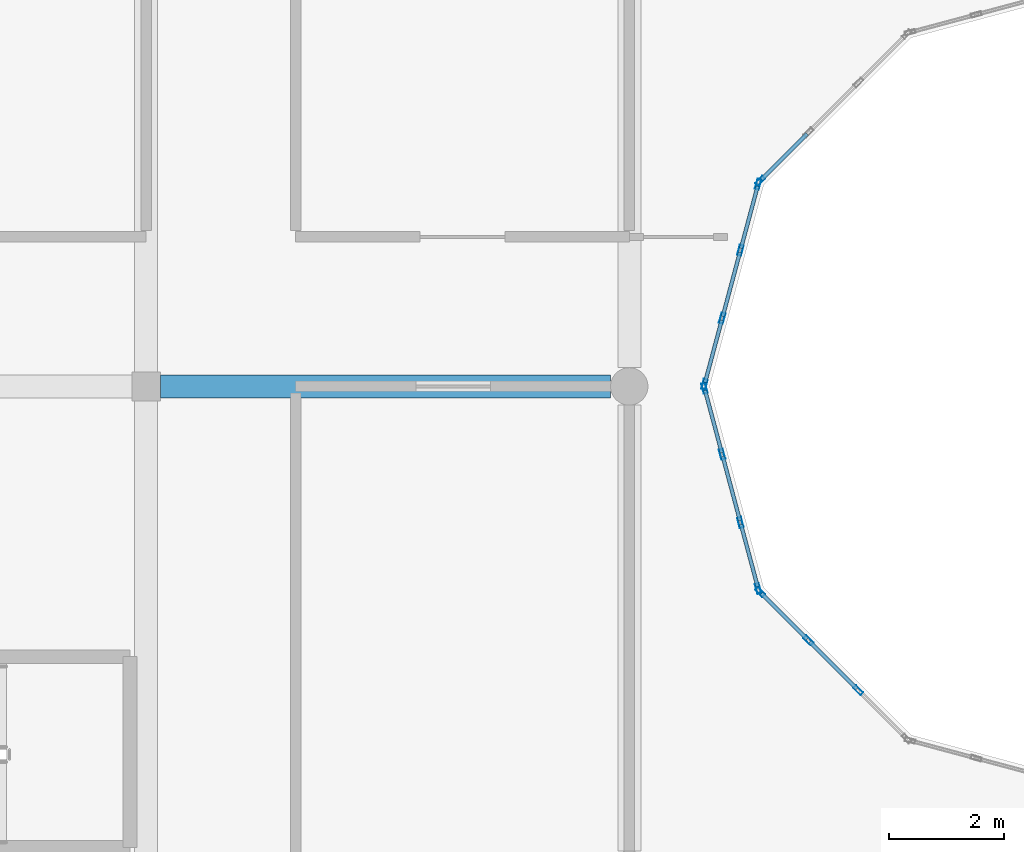
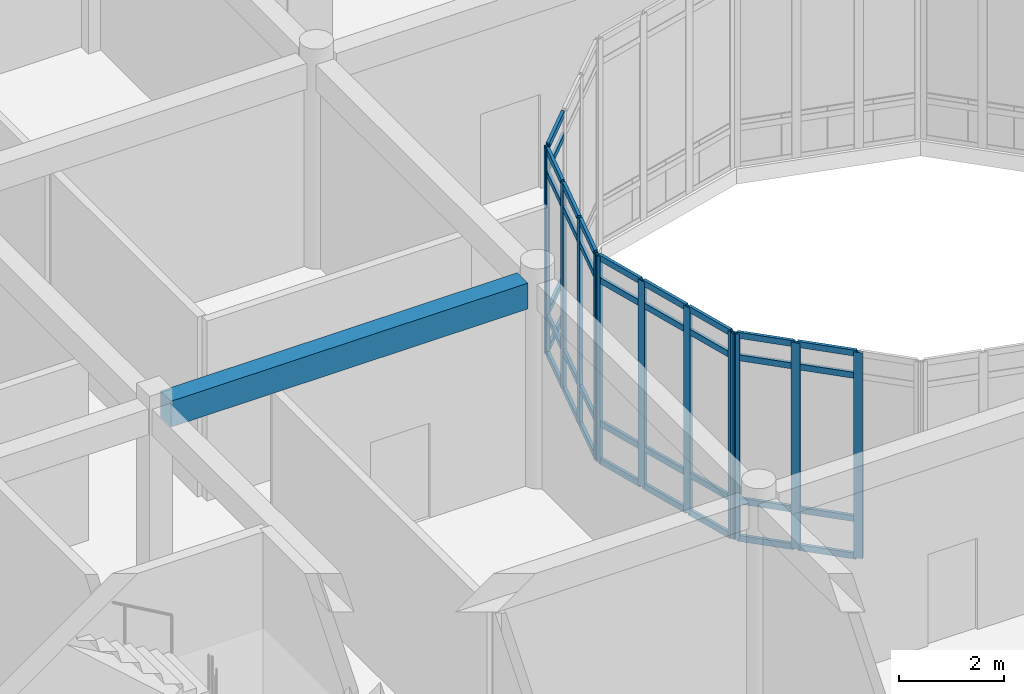
# One storey, part 42 of 134: 48 members, 1 beam, 4 elements without a shape of their own.
"""IFC4 building model written with IfcOpenShell, lengths in metres."""

from ifc_helpers import new_model, si_unit, direction, frame, origin, origin_2d, place, context, subcontext, project, spatial, rectangle, hollow_rectangle, extrude, material, layer, layer_set, material_profile, profile_set, type_object, element, aggregate, save


model = new_model("IFC4")

# Units and contexts
model_context = context("Model", 3, precision=1e-05, world=origin(), true_north=direction((0.0, 1.0)))
body_context = subcontext(model_context, "Body", "Model", "MODEL_VIEW")
ifc_project = project(units=[si_unit("LENGTHUNIT", "METRE"), si_unit("AREAUNIT", "SQUARE_METRE"), si_unit("VOLUMEUNIT", "CUBIC_METRE"), si_unit("PLANEANGLEUNIT", "RADIAN"), si_unit("MASSUNIT", "GRAM", prefix="KILO")], contexts=[model_context])

# Site, building, storey
site_placement = place(None, origin())
site = spatial("IfcSite", under=ifc_project, at=site_placement, CompositionType="ELEMENT")
building_placement = place(site_placement, origin())
building = spatial("IfcBuilding", under=site, at=building_placement, Name="Bramfleet General Hospital", CompositionType="ELEMENT")
storey_placement = place(building_placement, frame((0.0, 0.0, 9.300048828125)))
storey = spatial("IfcBuildingStorey", under=building, at=storey_placement, Name="L02", CompositionType="ELEMENT", Elevation=9.300048828125)

# Beam
ifc_material_1 = material(Name="Concrete C35/45", Category="concrete")
ifc_material_profile_1 = material_profile(ifc_material_1, rectangle(XDim=0.39990234375, YDim=0.60009765625, at=origin_2d()), Name="RC BM 600x400")
ifc_profile_set_1 = profile_set([ifc_material_profile_1], Name="Concrete C35/45")
beam_type = type_object("IfcBeamType", Name="BM-RC600", PredefinedType="BEAM", material=ifc_profile_set_1)
beam_placement = place(storey_placement, frame((67.449951171875, 75.60009765625, 4.47998046875), z_axis=(1.0, 0.0, 0.0), x_axis=(0.0, 1.0, 0.0)))
element("IfcBeam", 1, at=beam_placement, inside=storey, type_object=beam_type, Name="L02 Grid Beam X 08-09", PredefinedType="BEAM", context=body_context, shape_type="SweptSolid", body=[
    extrude(rectangle(XDim=0.39990234375, YDim=0.60009765625, at=origin_2d()), origin(), (0.0, 0.0, 1.0), 7.824951171875),
])

# Curtain wall, members
ifc_material_2 = material(Name="Anodised aluminium and low-E triple glazing", Category="aluminium")
ifc_layer_1 = layer(ifc_material_2, 0.179931640625, Name="CWT-CW-17")
ifc_layer_set_1 = layer_set([ifc_layer_1], Name="Anodised aluminium and low-E triple glazing")
curtain_wall_type_1 = type_object("IfcCurtainWallType", Name="CWT-CW-17", PredefinedType="USERDEFINED", material=ifc_layer_set_1)
curtain_wall_1_placement = place(storey_placement, origin())
curtain_wall_1 = element("IfcCurtainWall", 2, at=curtain_wall_1_placement, inside=storey, type_object=curtain_wall_type_1, Name="L02 Central Diagnostic Light Court Curtain Wall 1.1", ObjectType="Stick curtain wall", PredefinedType="USERDEFINED")
ifc_material_3 = material(Name="Anodised aluminium EN AW-6060", Category="aluminium")
ifc_material_profile_2 = material_profile(ifc_material_3, hollow_rectangle(XDim=0.070068359375, YDim=0.179931640625, WallThickness=0.00390625, at=origin_2d()), Name="ALU 180x70x4.0")
ifc_profile_set_2 = profile_set([ifc_material_profile_2], Name="Anodised aluminium EN AW-6060")
member_type_1 = type_object("IfcMemberType", Name="CWM-ALU180", PredefinedType="MULLION", material=ifc_profile_set_2)
member_1_placement = place(storey_placement, frame((76.908935546875, 75.566162109375, 0.0), z_axis=(0.0, 0.0, 1.0), x_axis=(0.965940765005, 0.258763286618, 0.0)))
member_1 = element("IfcMember", 3, at=member_1_placement, type_object=member_type_1, Name="CW-17 mullion 1", PredefinedType="MULLION", context=body_context, shape_type="SweptSolid", body=[
    extrude(hollow_rectangle(XDim=0.070068359375, YDim=0.179931640625, WallThickness=0.00390625, at=origin_2d()), origin(), (0.0, 0.0, 1.0), 4.77001953125),
])
member_2_placement = place(storey_placement, frame((77.217041015625, 74.416748046875, 0.0), z_axis=(0.0, 0.0, 1.0), x_axis=(0.965940765005, 0.258763286618, 0.0)))
member_2 = element("IfcMember", 4, at=member_2_placement, type_object=member_type_1, Name="CW-17 mullion 2", PredefinedType="MULLION", context=body_context, shape_type="SweptSolid", body=[
    extrude(hollow_rectangle(XDim=0.070068359375, YDim=0.179931640625, WallThickness=0.00390625, at=origin_2d()), origin(), (0.0, 0.0, 1.0), 4.77001953125),
])
member_3_placement = place(storey_placement, frame((77.533935546875, 73.2333984375, 0.0), z_axis=(0.0, 0.0, 1.0), x_axis=(0.965940765005, 0.258763286618, 0.0)))
member_3 = element("IfcMember", 5, at=member_3_placement, type_object=member_type_1, Name="CW-17 mullion 3", PredefinedType="MULLION", context=body_context, shape_type="SweptSolid", body=[
    extrude(hollow_rectangle(XDim=0.070068359375, YDim=0.179931640625, WallThickness=0.00390625, at=origin_2d()), origin(), (0.0, 0.0, 1.0), 4.77001953125),
])
member_4_placement = place(storey_placement, frame((77.842041015625, 72.083740234375, 0.0), z_axis=(0.0, 0.0, 1.0), x_axis=(0.965940765005, 0.258763286618, 0.0)))
member_4 = element("IfcMember", 6, at=member_4_placement, type_object=member_type_1, Name="CW-17 mullion 4", PredefinedType="MULLION", context=body_context, shape_type="SweptSolid", body=[
    extrude(hollow_rectangle(XDim=0.070068359375, YDim=0.179931640625, WallThickness=0.00390625, at=origin_2d()), origin(), (0.0, 0.0, 1.0), 4.77001953125),
])

ifc_layer_2 = layer(ifc_material_2, 0.179931640625, Name="CWT-CW-18")
ifc_layer_set_2 = layer_set([ifc_layer_2], Name="Anodised aluminium and low-E triple glazing")
curtain_wall_type_2 = type_object("IfcCurtainWallType", Name="CWT-CW-18", PredefinedType="USERDEFINED", material=ifc_layer_set_2)
curtain_wall_2_placement = place(storey_placement, origin())
curtain_wall_2 = element("IfcCurtainWall", 7, at=curtain_wall_2_placement, inside=storey, type_object=curtain_wall_type_2, Name="L02 Central Diagnostic Light Court Curtain Wall 2.1", ObjectType="Stick curtain wall", PredefinedType="USERDEFINED")
member_5_placement = place(storey_placement, frame((77.875732421875, 72.025146484375, 0.0), z_axis=(0.0, 0.0, 1.0), x_axis=(0.707106781187, 0.707106781187, 0.0)))
member_5 = element("IfcMember", 8, at=member_5_placement, type_object=member_type_1, Name="CW-18 mullion 1", PredefinedType="MULLION", context=body_context, shape_type="SweptSolid", body=[
    extrude(hollow_rectangle(XDim=0.070068359375, YDim=0.179931640625, WallThickness=0.00390625, at=origin_2d()), origin(), (0.0, 0.0, 1.0), 4.77001953125),
])
member_6_placement = place(storey_placement, frame((78.71728515625, 71.18359375, 0.0), z_axis=(0.0, 0.0, 1.0), x_axis=(0.707106781187, 0.707106781187, 0.0)))
member_6 = element("IfcMember", 9, at=member_6_placement, type_object=member_type_1, Name="CW-18 mullion 2", PredefinedType="MULLION", context=body_context, shape_type="SweptSolid", body=[
    extrude(hollow_rectangle(XDim=0.070068359375, YDim=0.179931640625, WallThickness=0.00390625, at=origin_2d()), origin(), (0.0, 0.0, 1.0), 4.77001953125),
])
member_7_placement = place(storey_placement, frame((79.583740234375, 70.3173828125, 0.0), z_axis=(0.0, 0.0, 1.0), x_axis=(0.707106781187, 0.707106781187, 0.0)))
member_7 = element("IfcMember", 10, at=member_7_placement, type_object=member_type_1, Name="CW-18 mullion 3", PredefinedType="MULLION", context=body_context, shape_type="SweptSolid", body=[
    extrude(hollow_rectangle(XDim=0.070068359375, YDim=0.179931640625, WallThickness=0.00390625, at=origin_2d()), origin(), (0.0, 0.0, 1.0), 4.77001953125),
])

# Curtain wall, member
ifc_layer_3 = layer(ifc_material_2, 0.179931640625, Name="CWT-CW-11")
ifc_layer_set_3 = layer_set([ifc_layer_3], Name="Anodised aluminium and low-E triple glazing")
curtain_wall_type_3 = type_object("IfcCurtainWallType", Name="CWT-CW-11", PredefinedType="USERDEFINED", material=ifc_layer_set_3)
curtain_wall_3_placement = place(storey_placement, origin())
curtain_wall_3 = element("IfcCurtainWall", 11, at=curtain_wall_3_placement, inside=storey, type_object=curtain_wall_type_3, Name="L02 Central Diagnostic Light Court Curtain Wall 11.1", ObjectType="Stick curtain wall", PredefinedType="USERDEFINED")
member_8_placement = place(storey_placement, frame((77.875732421875, 79.1748046875, 0.0), z_axis=(0.0, 0.0, 1.0), x_axis=(0.707106781187, -0.707106781187, 0.0)))
member_8 = element("IfcMember", 12, at=member_8_placement, type_object=member_type_1, Name="CW-11 mullion 4", PredefinedType="MULLION", context=body_context, shape_type="SweptSolid", body=[
    extrude(hollow_rectangle(XDim=0.070068359375, YDim=0.179931640625, WallThickness=0.00390625, at=origin_2d()), origin(), (0.0, 0.0, 1.0), 4.77001953125),
])

# Curtain wall, members
ifc_layer_4 = layer(ifc_material_2, 0.179931640625, Name="CWT-CW-12")
ifc_layer_set_4 = layer_set([ifc_layer_4], Name="Anodised aluminium and low-E triple glazing")
curtain_wall_type_4 = type_object("IfcCurtainWallType", Name="CWT-CW-12", PredefinedType="USERDEFINED", material=ifc_layer_set_4)
curtain_wall_4_placement = place(storey_placement, origin())
curtain_wall_4 = element("IfcCurtainWall", 13, at=curtain_wall_4_placement, inside=storey, type_object=curtain_wall_type_4, Name="L02 Central Diagnostic Light Court Curtain Wall 12.1", ObjectType="Stick curtain wall", PredefinedType="USERDEFINED")
member_9_placement = place(storey_placement, frame((77.842041015625, 79.1162109375, 0.0), z_axis=(0.0, 0.0, 1.0), x_axis=(0.965940765005, -0.258763286618, 0.0)))
member_9 = element("IfcMember", 14, at=member_9_placement, type_object=member_type_1, Name="CW-12 mullion 1", PredefinedType="MULLION", context=body_context, shape_type="SweptSolid", body=[
    extrude(hollow_rectangle(XDim=0.070068359375, YDim=0.179931640625, WallThickness=0.00390625, at=origin_2d()), origin(), (0.0, 0.0, 1.0), 4.77001953125),
])
member_10_placement = place(storey_placement, frame((77.533935546875, 77.966552734375, 0.0), z_axis=(0.0, 0.0, 1.0), x_axis=(0.965940765005, -0.258763286618, 0.0)))
member_10 = element("IfcMember", 15, at=member_10_placement, type_object=member_type_1, Name="CW-12 mullion 2", PredefinedType="MULLION", context=body_context, shape_type="SweptSolid", body=[
    extrude(hollow_rectangle(XDim=0.070068359375, YDim=0.179931640625, WallThickness=0.00390625, at=origin_2d()), origin(), (0.0, 0.0, 1.0), 4.77001953125),
])
member_11_placement = place(storey_placement, frame((77.217041015625, 76.783447265625, 0.0), z_axis=(0.0, 0.0, 1.0), x_axis=(0.965940765005, -0.258763286618, 0.0)))
member_11 = element("IfcMember", 16, at=member_11_placement, type_object=member_type_1, Name="CW-12 mullion 3", PredefinedType="MULLION", context=body_context, shape_type="SweptSolid", body=[
    extrude(hollow_rectangle(XDim=0.070068359375, YDim=0.179931640625, WallThickness=0.00390625, at=origin_2d()), origin(), (0.0, 0.0, 1.0), 4.77001953125),
])
member_12_placement = place(storey_placement, frame((76.908935546875, 75.6337890625, 0.0), z_axis=(0.0, 0.0, 1.0), x_axis=(0.965940765005, -0.258763286618, 0.0)))
member_12 = element("IfcMember", 17, at=member_12_placement, type_object=member_type_1, Name="CW-12 mullion 4", PredefinedType="MULLION", context=body_context, shape_type="SweptSolid", body=[
    extrude(hollow_rectangle(XDim=0.070068359375, YDim=0.179931640625, WallThickness=0.00390625, at=origin_2d()), origin(), (0.0, 0.0, 1.0), 4.77001953125),
])

# Member
ifc_material_profile_3 = material_profile(ifc_material_3, hollow_rectangle(XDim=0.06494140625, YDim=0.139892578125, WallThickness=0.00390625, at=origin_2d()), Name="ALU 140x65x4.0")
ifc_profile_set_3 = profile_set([ifc_material_profile_3], Name="Anodised aluminium EN AW-6060")
member_type_2 = type_object("IfcMemberType", Name="CWT-ALU140", PredefinedType="USERDEFINED", material=ifc_profile_set_3)
member_13_placement = place(storey_placement, frame((76.918212890625, 75.532470703125, 0.032470703125), z_axis=(0.25870703371, -0.965955832691, 0.0), x_axis=(0.965955832691, 0.25870703371, 0.0)))
member_13 = element("IfcMember", 18, at=member_13_placement, type_object=member_type_2, Name="CW-17 transom 1.1", ObjectType="TRANSOM", PredefinedType="USERDEFINED", context=body_context, shape_type="SweptSolid", body=[
    extrude(hollow_rectangle(XDim=0.06494140625, YDim=0.139892578125, WallThickness=0.00390625, at=origin_2d()), origin(), (0.0, 0.0, 1.0), 1.1201171875),
])

member_14_placement = place(storey_placement, frame((76.918212890625, 75.532470703125, 0.89990234375), z_axis=(0.25870703371, -0.965955832691, 0.0), x_axis=(0.965955832691, 0.25870703371, 0.0)))
member_14 = element("IfcMember", 19, at=member_14_placement, type_object=member_type_2, Name="CW-17 transom 1.2", ObjectType="TRANSOM", PredefinedType="USERDEFINED", context=body_context, shape_type="SweptSolid", body=[
    extrude(hollow_rectangle(XDim=0.06494140625, YDim=0.139892578125, WallThickness=0.00390625, at=origin_2d()), origin(), (0.0, 0.0, 1.0), 1.1201171875),
])

member_15_placement = place(storey_placement, frame((76.918212890625, 75.532470703125, 4.219970703125), z_axis=(0.25870703371, -0.965955832691, 0.0), x_axis=(0.965955832691, 0.25870703371, 0.0)))
member_15 = element("IfcMember", 20, at=member_15_placement, type_object=member_type_2, Name="CW-17 transom 1.3", ObjectType="TRANSOM", PredefinedType="USERDEFINED", context=body_context, shape_type="SweptSolid", body=[
    extrude(hollow_rectangle(XDim=0.06494140625, YDim=0.139892578125, WallThickness=0.00390625, at=origin_2d()), origin(), (0.0, 0.0, 1.0), 1.1201171875),
])

member_16_placement = place(storey_placement, frame((76.918212890625, 75.532470703125, 4.737548828125), z_axis=(0.25870703371, -0.965955832691, 0.0), x_axis=(0.965955832691, 0.25870703371, 0.0)))
member_16 = element("IfcMember", 21, at=member_16_placement, type_object=member_type_2, Name="CW-17 transom 1.4", ObjectType="TRANSOM", PredefinedType="USERDEFINED", context=body_context, shape_type="SweptSolid", body=[
    extrude(hollow_rectangle(XDim=0.06494140625, YDim=0.139892578125, WallThickness=0.00390625, at=origin_2d()), origin(), (0.0, 0.0, 1.0), 1.1201171875),
])

member_17_placement = place(storey_placement, frame((77.22607421875, 74.3828125, 0.032470703125), z_axis=(0.258714954608, -0.965953711242, 0.0), x_axis=(0.965953711242, 0.258714954608, 0.0)))
member_17 = element("IfcMember", 22, at=member_17_placement, type_object=member_type_2, Name="CW-17 transom 2.1", ObjectType="TRANSOM", PredefinedType="USERDEFINED", context=body_context, shape_type="SweptSolid", body=[
    extrude(hollow_rectangle(XDim=0.06494140625, YDim=0.139892578125, WallThickness=0.00390625, at=origin_2d()), origin(), (0.0, 0.0, 1.0), 1.155029296875),
])

member_18_placement = place(storey_placement, frame((77.22607421875, 74.3828125, 0.89990234375), z_axis=(0.258714954608, -0.965953711242, 0.0), x_axis=(0.965953711242, 0.258714954608, 0.0)))
member_18 = element("IfcMember", 23, at=member_18_placement, type_object=member_type_2, Name="CW-17 transom 2.2", ObjectType="TRANSOM", PredefinedType="USERDEFINED", context=body_context, shape_type="SweptSolid", body=[
    extrude(hollow_rectangle(XDim=0.06494140625, YDim=0.139892578125, WallThickness=0.00390625, at=origin_2d()), origin(), (0.0, 0.0, 1.0), 1.155029296875),
])

member_19_placement = place(storey_placement, frame((77.22607421875, 74.3828125, 4.219970703125), z_axis=(0.258714954608, -0.965953711242, 0.0), x_axis=(0.965953711242, 0.258714954608, 0.0)))
member_19 = element("IfcMember", 24, at=member_19_placement, type_object=member_type_2, Name="CW-17 transom 2.3", ObjectType="TRANSOM", PredefinedType="USERDEFINED", context=body_context, shape_type="SweptSolid", body=[
    extrude(hollow_rectangle(XDim=0.06494140625, YDim=0.139892578125, WallThickness=0.00390625, at=origin_2d()), origin(), (0.0, 0.0, 1.0), 1.155029296875),
])

member_20_placement = place(storey_placement, frame((77.22607421875, 74.3828125, 4.737548828125), z_axis=(0.258714954608, -0.965953711242, 0.0), x_axis=(0.965953711242, 0.258714954608, 0.0)))
member_20 = element("IfcMember", 25, at=member_20_placement, type_object=member_type_2, Name="CW-17 transom 2.4", ObjectType="TRANSOM", PredefinedType="USERDEFINED", context=body_context, shape_type="SweptSolid", body=[
    extrude(hollow_rectangle(XDim=0.06494140625, YDim=0.139892578125, WallThickness=0.00390625, at=origin_2d()), origin(), (0.0, 0.0, 1.0), 1.155029296875),
])

member_21_placement = place(storey_placement, frame((77.54296875, 73.199462890625, 0.032470703125), z_axis=(0.258964892978, -0.965886734667, 0.0), x_axis=(0.965886734667, 0.258964892978, 0.0)))
member_21 = element("IfcMember", 26, at=member_21_placement, type_object=member_type_2, Name="CW-17 transom 3.1", ObjectType="TRANSOM", PredefinedType="USERDEFINED", context=body_context, shape_type="SweptSolid", body=[
    extrude(hollow_rectangle(XDim=0.06494140625, YDim=0.139892578125, WallThickness=0.00390625, at=origin_2d()), origin(), (0.0, 0.0, 1.0), 1.119873046875),
])

member_22_placement = place(storey_placement, frame((77.54296875, 73.199462890625, 0.89990234375), z_axis=(0.258964892978, -0.965886734667, 0.0), x_axis=(0.965886734667, 0.258964892978, 0.0)))
member_22 = element("IfcMember", 27, at=member_22_placement, type_object=member_type_2, Name="CW-17 transom 3.2", ObjectType="TRANSOM", PredefinedType="USERDEFINED", context=body_context, shape_type="SweptSolid", body=[
    extrude(hollow_rectangle(XDim=0.06494140625, YDim=0.139892578125, WallThickness=0.00390625, at=origin_2d()), origin(), (0.0, 0.0, 1.0), 1.119873046875),
])

member_23_placement = place(storey_placement, frame((77.54296875, 73.199462890625, 4.219970703125), z_axis=(0.258964892978, -0.965886734667, 0.0), x_axis=(0.965886734667, 0.258964892978, 0.0)))
member_23 = element("IfcMember", 28, at=member_23_placement, type_object=member_type_2, Name="CW-17 transom 3.3", ObjectType="TRANSOM", PredefinedType="USERDEFINED", context=body_context, shape_type="SweptSolid", body=[
    extrude(hollow_rectangle(XDim=0.06494140625, YDim=0.139892578125, WallThickness=0.00390625, at=origin_2d()), origin(), (0.0, 0.0, 1.0), 1.119873046875),
])

member_24_placement = place(storey_placement, frame((77.54296875, 73.199462890625, 4.737548828125), z_axis=(0.258964892978, -0.965886734667, 0.0), x_axis=(0.965886734667, 0.258964892978, 0.0)))
member_24 = element("IfcMember", 29, at=member_24_placement, type_object=member_type_2, Name="CW-17 transom 3.4", ObjectType="TRANSOM", PredefinedType="USERDEFINED", context=body_context, shape_type="SweptSolid", body=[
    extrude(hollow_rectangle(XDim=0.06494140625, YDim=0.139892578125, WallThickness=0.00390625, at=origin_2d()), origin(), (0.0, 0.0, 1.0), 1.119873046875),
])

aggregate(curtain_wall_1, [member_1, member_2, member_3, member_4, member_13, member_14, member_15, member_16, member_17, member_18, member_19, member_20, member_21, member_22, member_23, member_24])

member_25_placement = place(storey_placement, frame((77.900390625, 72.00048828125, 0.032470703125), z_axis=(0.707215742858, -0.706997802722, 0.0), x_axis=(0.706997802722, 0.707215742858, 0.0)))
member_25 = element("IfcMember", 30, at=member_25_placement, type_object=member_type_2, Name="CW-18 transom 1.1", ObjectType="TRANSOM", PredefinedType="USERDEFINED", context=body_context, shape_type="SweptSolid", body=[
    extrude(hollow_rectangle(XDim=0.06494140625, YDim=0.139892578125, WallThickness=0.00390625, at=origin_2d()), origin(), (0.0, 0.0, 1.0), 1.1201171875),
])

member_26_placement = place(storey_placement, frame((77.900390625, 72.00048828125, 0.89990234375), z_axis=(0.707215742858, -0.706997802722, 0.0), x_axis=(0.706997802722, 0.707215742858, 0.0)))
member_26 = element("IfcMember", 31, at=member_26_placement, type_object=member_type_2, Name="CW-18 transom 1.2", ObjectType="TRANSOM", PredefinedType="USERDEFINED", context=body_context, shape_type="SweptSolid", body=[
    extrude(hollow_rectangle(XDim=0.06494140625, YDim=0.139892578125, WallThickness=0.00390625, at=origin_2d()), origin(), (0.0, 0.0, 1.0), 1.1201171875),
])

member_27_placement = place(storey_placement, frame((77.900390625, 72.00048828125, 4.219970703125), z_axis=(0.707215742858, -0.706997802722, 0.0), x_axis=(0.706997802722, 0.707215742858, 0.0)))
member_27 = element("IfcMember", 32, at=member_27_placement, type_object=member_type_2, Name="CW-18 transom 1.3", ObjectType="TRANSOM", PredefinedType="USERDEFINED", context=body_context, shape_type="SweptSolid", body=[
    extrude(hollow_rectangle(XDim=0.06494140625, YDim=0.139892578125, WallThickness=0.00390625, at=origin_2d()), origin(), (0.0, 0.0, 1.0), 1.1201171875),
])

member_28_placement = place(storey_placement, frame((77.900390625, 72.00048828125, 4.737548828125), z_axis=(0.707215742858, -0.706997802722, 0.0), x_axis=(0.706997802722, 0.707215742858, 0.0)))
member_28 = element("IfcMember", 33, at=member_28_placement, type_object=member_type_2, Name="CW-18 transom 1.4", ObjectType="TRANSOM", PredefinedType="USERDEFINED", context=body_context, shape_type="SweptSolid", body=[
    extrude(hollow_rectangle(XDim=0.06494140625, YDim=0.139892578125, WallThickness=0.00390625, at=origin_2d()), origin(), (0.0, 0.0, 1.0), 1.1201171875),
])

member_29_placement = place(storey_placement, frame((78.7421875, 71.158935546875, 0.032470703125), z_axis=(0.707001093006, -0.707212453572, 0.0), x_axis=(0.707212453572, 0.707001093006, 0.0)))
member_29 = element("IfcMember", 34, at=member_29_placement, type_object=member_type_2, Name="CW-18 transom 2.1", ObjectType="TRANSOM", PredefinedType="USERDEFINED", context=body_context, shape_type="SweptSolid", body=[
    extrude(hollow_rectangle(XDim=0.06494140625, YDim=0.139892578125, WallThickness=0.00390625, at=origin_2d()), origin(), (0.0, 0.0, 1.0), 1.155029296875),
])

member_30_placement = place(storey_placement, frame((78.7421875, 71.158935546875, 0.89990234375), z_axis=(0.707001093006, -0.707212453572, 0.0), x_axis=(0.707212453572, 0.707001093006, 0.0)))
member_30 = element("IfcMember", 35, at=member_30_placement, type_object=member_type_2, Name="CW-18 transom 2.2", ObjectType="TRANSOM", PredefinedType="USERDEFINED", context=body_context, shape_type="SweptSolid", body=[
    extrude(hollow_rectangle(XDim=0.06494140625, YDim=0.139892578125, WallThickness=0.00390625, at=origin_2d()), origin(), (0.0, 0.0, 1.0), 1.155029296875),
])

member_31_placement = place(storey_placement, frame((78.7421875, 71.158935546875, 4.219970703125), z_axis=(0.707001093006, -0.707212453572, 0.0), x_axis=(0.707212453572, 0.707001093006, 0.0)))
member_31 = element("IfcMember", 36, at=member_31_placement, type_object=member_type_2, Name="CW-18 transom 2.3", ObjectType="TRANSOM", PredefinedType="USERDEFINED", context=body_context, shape_type="SweptSolid", body=[
    extrude(hollow_rectangle(XDim=0.06494140625, YDim=0.139892578125, WallThickness=0.00390625, at=origin_2d()), origin(), (0.0, 0.0, 1.0), 1.155029296875),
])

member_32_placement = place(storey_placement, frame((78.7421875, 71.158935546875, 4.737548828125), z_axis=(0.707001093006, -0.707212453572, 0.0), x_axis=(0.707212453572, 0.707001093006, 0.0)))
member_32 = element("IfcMember", 37, at=member_32_placement, type_object=member_type_2, Name="CW-18 transom 2.4", ObjectType="TRANSOM", PredefinedType="USERDEFINED", context=body_context, shape_type="SweptSolid", body=[
    extrude(hollow_rectangle(XDim=0.06494140625, YDim=0.139892578125, WallThickness=0.00390625, at=origin_2d()), origin(), (0.0, 0.0, 1.0), 1.155029296875),
])

aggregate(curtain_wall_2, [member_5, member_6, member_7, member_25, member_26, member_27, member_28, member_29, member_30, member_31, member_32])

member_33_placement = place(storey_placement, frame((78.692626953125, 79.99169921875, 0.032470703125), z_axis=(-0.707106781187, -0.707106781187, 0.0), x_axis=(0.707106781187, -0.707106781187, 0.0)))
member_33 = element("IfcMember", 38, at=member_33_placement, type_object=member_type_2, Name="CW-11 transom 3.1", ObjectType="TRANSOM", PredefinedType="USERDEFINED", context=body_context, shape_type="SweptSolid", body=[
    extrude(hollow_rectangle(XDim=0.06494140625, YDim=0.139892578125, WallThickness=0.00390625, at=origin_2d()), origin(), (0.0, 0.0, 1.0), 1.120361328125),
])

member_34_placement = place(storey_placement, frame((78.692626953125, 79.99169921875, 0.89990234375), z_axis=(-0.707106781187, -0.707106781187, 0.0), x_axis=(0.707106781187, -0.707106781187, 0.0)))
member_34 = element("IfcMember", 39, at=member_34_placement, type_object=member_type_2, Name="CW-11 transom 3.2", ObjectType="TRANSOM", PredefinedType="USERDEFINED", context=body_context, shape_type="SweptSolid", body=[
    extrude(hollow_rectangle(XDim=0.06494140625, YDim=0.139892578125, WallThickness=0.00390625, at=origin_2d()), origin(), (0.0, 0.0, 1.0), 1.120361328125),
])

member_35_placement = place(storey_placement, frame((78.692626953125, 79.99169921875, 4.219970703125), z_axis=(-0.707106781187, -0.707106781187, 0.0), x_axis=(0.707106781187, -0.707106781187, 0.0)))
member_35 = element("IfcMember", 40, at=member_35_placement, type_object=member_type_2, Name="CW-11 transom 3.3", ObjectType="TRANSOM", PredefinedType="USERDEFINED", context=body_context, shape_type="SweptSolid", body=[
    extrude(hollow_rectangle(XDim=0.06494140625, YDim=0.139892578125, WallThickness=0.00390625, at=origin_2d()), origin(), (0.0, 0.0, 1.0), 1.120361328125),
])

member_36_placement = place(storey_placement, frame((78.692626953125, 79.99169921875, 4.737548828125), z_axis=(-0.707106781187, -0.707106781187, 0.0), x_axis=(0.707106781187, -0.707106781187, 0.0)))
member_36 = element("IfcMember", 41, at=member_36_placement, type_object=member_type_2, Name="CW-11 transom 3.4", ObjectType="TRANSOM", PredefinedType="USERDEFINED", context=body_context, shape_type="SweptSolid", body=[
    extrude(hollow_rectangle(XDim=0.06494140625, YDim=0.139892578125, WallThickness=0.00390625, at=origin_2d()), origin(), (0.0, 0.0, 1.0), 1.120361328125),
])

aggregate(curtain_wall_3, [member_8, member_33, member_34, member_35, member_36])

member_37_placement = place(storey_placement, frame((77.8330078125, 79.082275390625, 0.032470703125), z_axis=(-0.258964892978, -0.965886734667, 0.0), x_axis=(0.965886734667, -0.258964892978, 0.0)))
member_37 = element("IfcMember", 42, at=member_37_placement, type_object=member_type_2, Name="CW-12 transom 1.1", ObjectType="TRANSOM", PredefinedType="USERDEFINED", context=body_context, shape_type="SweptSolid", body=[
    extrude(hollow_rectangle(XDim=0.06494140625, YDim=0.139892578125, WallThickness=0.00390625, at=origin_2d()), origin(), (0.0, 0.0, 1.0), 1.119873046875),
])

member_38_placement = place(storey_placement, frame((77.8330078125, 79.082275390625, 0.89990234375), z_axis=(-0.258964892978, -0.965886734667, 0.0), x_axis=(0.965886734667, -0.258964892978, 0.0)))
member_38 = element("IfcMember", 43, at=member_38_placement, type_object=member_type_2, Name="CW-12 transom 1.2", ObjectType="TRANSOM", PredefinedType="USERDEFINED", context=body_context, shape_type="SweptSolid", body=[
    extrude(hollow_rectangle(XDim=0.06494140625, YDim=0.139892578125, WallThickness=0.00390625, at=origin_2d()), origin(), (0.0, 0.0, 1.0), 1.119873046875),
])

member_39_placement = place(storey_placement, frame((77.8330078125, 79.082275390625, 4.219970703125), z_axis=(-0.258964892978, -0.965886734667, 0.0), x_axis=(0.965886734667, -0.258964892978, 0.0)))
member_39 = element("IfcMember", 44, at=member_39_placement, type_object=member_type_2, Name="CW-12 transom 1.3", ObjectType="TRANSOM", PredefinedType="USERDEFINED", context=body_context, shape_type="SweptSolid", body=[
    extrude(hollow_rectangle(XDim=0.06494140625, YDim=0.139892578125, WallThickness=0.00390625, at=origin_2d()), origin(), (0.0, 0.0, 1.0), 1.119873046875),
])

member_40_placement = place(storey_placement, frame((77.8330078125, 79.082275390625, 4.737548828125), z_axis=(-0.258964892978, -0.965886734667, 0.0), x_axis=(0.965886734667, -0.258964892978, 0.0)))
member_40 = element("IfcMember", 45, at=member_40_placement, type_object=member_type_2, Name="CW-12 transom 1.4", ObjectType="TRANSOM", PredefinedType="USERDEFINED", context=body_context, shape_type="SweptSolid", body=[
    extrude(hollow_rectangle(XDim=0.06494140625, YDim=0.139892578125, WallThickness=0.00390625, at=origin_2d()), origin(), (0.0, 0.0, 1.0), 1.119873046875),
])

member_41_placement = place(storey_placement, frame((77.52490234375, 77.932861328125, 0.032470703125), z_axis=(-0.258714954608, -0.965953711242, 0.0), x_axis=(0.965953711242, -0.258714954608, 0.0)))
member_41 = element("IfcMember", 46, at=member_41_placement, type_object=member_type_2, Name="CW-12 transom 2.1", ObjectType="TRANSOM", PredefinedType="USERDEFINED", context=body_context, shape_type="SweptSolid", body=[
    extrude(hollow_rectangle(XDim=0.06494140625, YDim=0.139892578125, WallThickness=0.00390625, at=origin_2d()), origin(), (0.0, 0.0, 1.0), 1.155029296875),
])

member_42_placement = place(storey_placement, frame((77.52490234375, 77.932861328125, 0.89990234375), z_axis=(-0.258714954608, -0.965953711242, 0.0), x_axis=(0.965953711242, -0.258714954608, 0.0)))
member_42 = element("IfcMember", 47, at=member_42_placement, type_object=member_type_2, Name="CW-12 transom 2.2", ObjectType="TRANSOM", PredefinedType="USERDEFINED", context=body_context, shape_type="SweptSolid", body=[
    extrude(hollow_rectangle(XDim=0.06494140625, YDim=0.139892578125, WallThickness=0.00390625, at=origin_2d()), origin(), (0.0, 0.0, 1.0), 1.155029296875),
])

member_43_placement = place(storey_placement, frame((77.52490234375, 77.932861328125, 4.219970703125), z_axis=(-0.258714954608, -0.965953711242, 0.0), x_axis=(0.965953711242, -0.258714954608, 0.0)))
member_43 = element("IfcMember", 48, at=member_43_placement, type_object=member_type_2, Name="CW-12 transom 2.3", ObjectType="TRANSOM", PredefinedType="USERDEFINED", context=body_context, shape_type="SweptSolid", body=[
    extrude(hollow_rectangle(XDim=0.06494140625, YDim=0.139892578125, WallThickness=0.00390625, at=origin_2d()), origin(), (0.0, 0.0, 1.0), 1.155029296875),
])

member_44_placement = place(storey_placement, frame((77.52490234375, 77.932861328125, 4.737548828125), z_axis=(-0.258714954608, -0.965953711242, 0.0), x_axis=(0.965953711242, -0.258714954608, 0.0)))
member_44 = element("IfcMember", 49, at=member_44_placement, type_object=member_type_2, Name="CW-12 transom 2.4", ObjectType="TRANSOM", PredefinedType="USERDEFINED", context=body_context, shape_type="SweptSolid", body=[
    extrude(hollow_rectangle(XDim=0.06494140625, YDim=0.139892578125, WallThickness=0.00390625, at=origin_2d()), origin(), (0.0, 0.0, 1.0), 1.155029296875),
])

member_45_placement = place(storey_placement, frame((77.2080078125, 76.74951171875, 0.032470703125), z_axis=(-0.258761510459, -0.965941240814, 0.0), x_axis=(0.965941240814, -0.258761510459, 0.0)))
member_45 = element("IfcMember", 50, at=member_45_placement, type_object=member_type_2, Name="CW-12 transom 3.1", ObjectType="TRANSOM", PredefinedType="USERDEFINED", context=body_context, shape_type="SweptSolid", body=[
    extrude(hollow_rectangle(XDim=0.06494140625, YDim=0.139892578125, WallThickness=0.00390625, at=origin_2d()), origin(), (0.0, 0.0, 1.0), 1.119873046875),
])

member_46_placement = place(storey_placement, frame((77.2080078125, 76.74951171875, 0.89990234375), z_axis=(-0.258761510459, -0.965941240814, 0.0), x_axis=(0.965941240814, -0.258761510459, 0.0)))
member_46 = element("IfcMember", 51, at=member_46_placement, type_object=member_type_2, Name="CW-12 transom 3.2", ObjectType="TRANSOM", PredefinedType="USERDEFINED", context=body_context, shape_type="SweptSolid", body=[
    extrude(hollow_rectangle(XDim=0.06494140625, YDim=0.139892578125, WallThickness=0.00390625, at=origin_2d()), origin(), (0.0, 0.0, 1.0), 1.119873046875),
])

member_47_placement = place(storey_placement, frame((77.2080078125, 76.74951171875, 4.219970703125), z_axis=(-0.258761510459, -0.965941240814, 0.0), x_axis=(0.965941240814, -0.258761510459, 0.0)))
member_47 = element("IfcMember", 52, at=member_47_placement, type_object=member_type_2, Name="CW-12 transom 3.3", ObjectType="TRANSOM", PredefinedType="USERDEFINED", context=body_context, shape_type="SweptSolid", body=[
    extrude(hollow_rectangle(XDim=0.06494140625, YDim=0.139892578125, WallThickness=0.00390625, at=origin_2d()), origin(), (0.0, 0.0, 1.0), 1.119873046875),
])

member_48_placement = place(storey_placement, frame((77.2080078125, 76.74951171875, 4.737548828125), z_axis=(-0.258761510459, -0.965941240814, 0.0), x_axis=(0.965941240814, -0.258761510459, 0.0)))
member_48 = element("IfcMember", 53, at=member_48_placement, type_object=member_type_2, Name="CW-12 transom 3.4", ObjectType="TRANSOM", PredefinedType="USERDEFINED", context=body_context, shape_type="SweptSolid", body=[
    extrude(hollow_rectangle(XDim=0.06494140625, YDim=0.139892578125, WallThickness=0.00390625, at=origin_2d()), origin(), (0.0, 0.0, 1.0), 1.119873046875),
])

aggregate(curtain_wall_4, [member_9, member_10, member_11, member_12, member_37, member_38, member_39, member_40, member_41, member_42, member_43, member_44, member_45, member_46, member_47, member_48])

save(model, "model.ifc")
